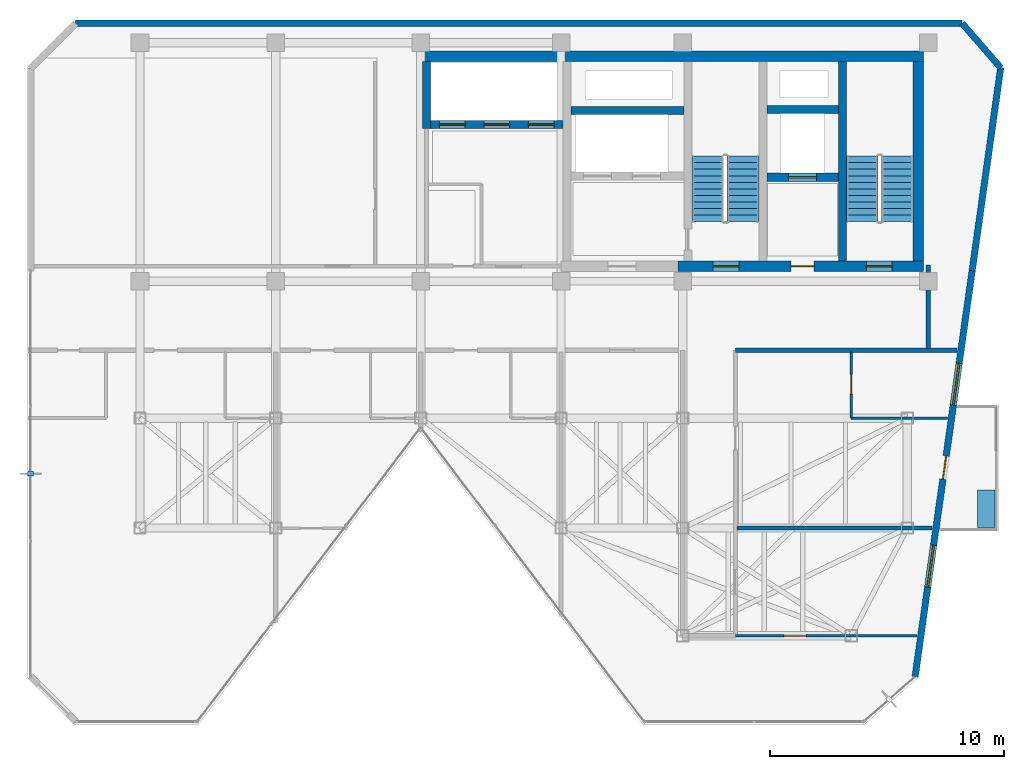
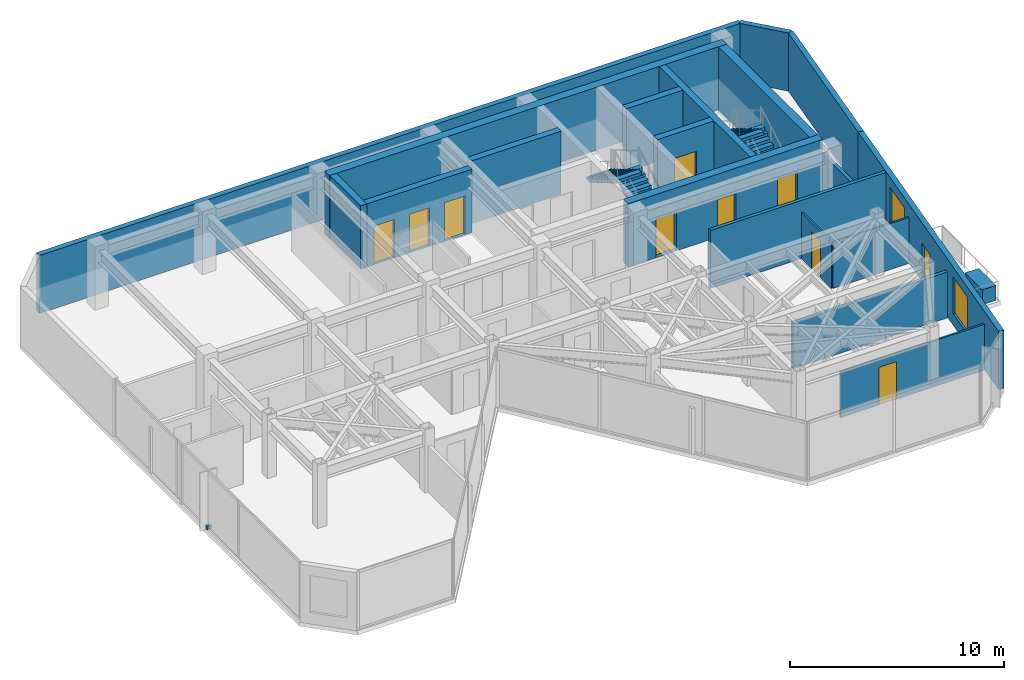
# One storey, part 16 of 19: 19 walls, 10 doors, 4 stair flights, 2 discrete accessories, 2 windows, 12 openings, 2 elements without a shape of their own.
"""IFC4 building model written with IfcOpenShell, lengths in metres."""

import ifcopenshell
import ifcopenshell.guid

model = None  # the IFC model being written
_history = None  # IfcOwnerHistory: only IFC2X3 demands one
_inside = {}  # id of a spatial element -> (the spatial element, [elements in it])
_under = {}  # id of a project, library or spatial element -> (it, [spatial elements below it])
_declared = {}  # id of a project -> (the project, [libraries it declares])
_typed = {}  # id of a type object -> (the type object, [elements of that type])
_made_of = {}  # id of a material, layer set ... -> (it, [elements and type objects made of it])


def new_model(schema):
    """Start an empty IFC model of exactly this schema.

    Asked for "IFC4X3", IfcOpenShell would pick the latest addendum, in which some entities
    have other attributes; the version numbers below select the first issue.
    IFC2X3 requires an IfcOwnerHistory on every rooted entity: one is made here for all.
    """
    global model, _history
    if schema == "IFC4X3":
        model = ifcopenshell.file(schema_version=(4, 3, 0, 0))
    else:
        model = ifcopenshell.file(schema=schema)
    _inside.clear()
    _under.clear()
    _declared.clear()
    _typed.clear()
    _made_of.clear()
    _history = None
    if model.schema == "IFC2X3":
        org = make("IfcOrganization", Name="unknown")
        user = make(
            "IfcPersonAndOrganization",
            ThePerson=make("IfcPerson", FamilyName="unknown"),
            TheOrganization=org,
        )
        app = make(
            "IfcApplication",
            ApplicationDeveloper=org,
            Version="unknown",
            ApplicationFullName="unknown",
            ApplicationIdentifier="unknown",
        )
        _history = make(
            "IfcOwnerHistory",
            OwningUser=user,
            OwningApplication=app,
            ChangeAction="ADDED",
            CreationDate=0,
        )
    return model


def make(cls, **values):
    """One entity of the class cls with the attributes given. An attribute that is None is left unset."""
    return model.create_entity(
        cls, **{name: value for name, value in values.items() if value is not None}
    )


def rooted(cls, **values):
    """An entity with a GlobalId (a new one), such as an element, a storey or a relation."""
    return make(cls, GlobalId=ifcopenshell.guid.new(), OwnerHistory=_history, **values)


def si_unit(unit_type, name, prefix=None):
    """IfcSIUnit, for example si_unit("LENGTHUNIT", "METRE", prefix="MILLI")."""
    return make("IfcSIUnit", UnitType=unit_type, Prefix=prefix, Name=name)


def assignment(units):
    """IfcUnitAssignment: the units of a project."""
    return None if units is None else make("IfcUnitAssignment", Units=units)


def point(xyz):
    """IfcCartesianPoint."""
    return None if xyz is None else make("IfcCartesianPoint", Coordinates=xyz)


def direction(xyz):
    """IfcDirection."""
    return None if xyz is None else make("IfcDirection", DirectionRatios=xyz)


def frame(location, z_axis=None, x_axis=None):
    """IfcAxis2Placement3D, a coordinate frame: its origin and axes. An axis left out is left unset."""
    return make(
        "IfcAxis2Placement3D",
        Location=point(location),
        Axis=direction(z_axis),
        RefDirection=direction(x_axis),
    )


def frame_2d(location, x_axis=None):
    """IfcAxis2Placement2D, a coordinate frame in the plane: its origin and x axis."""
    return make(
        "IfcAxis2Placement2D", Location=point(location), RefDirection=direction(x_axis)
    )


def origin():
    """The frame at (0, 0, 0) with its axes left unset."""
    return frame((0.0, 0.0, 0.0))


def origin_2d():
    """The frame at (0, 0) in the plane with its x axis left unset."""
    return frame_2d((0.0, 0.0))


def place(relative_to, where):
    """IfcLocalPlacement: puts the frame where relative to a parent placement (None: the world)."""
    return make(
        "IfcLocalPlacement", PlacementRelTo=relative_to, RelativePlacement=where
    )


def context(
    kind, dimensions, precision=None, world=None, true_north=None, identifier=None
):
    """IfcGeometricRepresentationContext, for example the 3D "Model" context."""
    return make(
        "IfcGeometricRepresentationContext",
        ContextIdentifier=identifier,
        ContextType=kind,
        CoordinateSpaceDimension=dimensions,
        Precision=precision,
        WorldCoordinateSystem=world,
        TrueNorth=true_north,
    )


def subcontext(parent, identifier, kind, view, scale=None):
    """IfcGeometricRepresentationSubContext, for example "Body" below "Model"."""
    return make(
        "IfcGeometricRepresentationSubContext",
        ContextIdentifier=identifier,
        ContextType=kind,
        ParentContext=parent,
        TargetScale=scale,
        TargetView=view,
    )


def project(units=None, contexts=None):
    """IfcProject with its units and contexts."""
    return rooted(
        "IfcProject",
        Name="project",
        RepresentationContexts=contexts,
        UnitsInContext=assignment(units),
    )


def spatial(cls, under=None, at=None, **own):
    """A site, building, storey or space (cls), placed at a placement, below another one or the project."""
    s = rooted(cls, ObjectPlacement=at, **own)
    if under is not None:
        _under.setdefault(under.id(), (under, []))[1].append(s)
    return s


def polyline(points):
    """IfcPolyline through the points."""
    return make("IfcPolyline", Points=[point(p) for p in points])


def profile(cls, at=None, kind="AREA", **sizes):
    """A parametric profile (cls). Its sizes go by their IFC names, for example OverallWidth=200.0."""
    return make(cls, ProfileType=kind, Position=at, **sizes)


def rectangle(**sizes):
    """IfcRectangleProfileDef."""
    return profile("IfcRectangleProfileDef", **sizes)


def outline(outer, holes=None, kind="AREA"):
    """IfcArbitraryClosedProfileDef: a profile drawn as a closed curve; with holes, ...WithVoids."""
    if holes is None:
        return make("IfcArbitraryClosedProfileDef", ProfileType=kind, OuterCurve=outer)
    return make(
        "IfcArbitraryProfileDefWithVoids",
        ProfileType=kind,
        OuterCurve=outer,
        InnerCurves=holes,
    )


def extrude(swept, where, along, depth):
    """IfcExtrudedAreaSolid: the profile swept, set in the frame where, extruded along a direction by depth."""
    return make(
        "IfcExtrudedAreaSolid",
        SweptArea=swept,
        Position=where,
        ExtrudedDirection=direction(along),
        Depth=depth,
    )


def shape(context_of_items, identifier, shape_type, items):
    """IfcShapeRepresentation: the items that make up one representation, for example the "Body"."""
    return make(
        "IfcShapeRepresentation",
        ContextOfItems=context_of_items,
        RepresentationIdentifier=identifier,
        RepresentationType=shape_type,
        Items=items,
    )


def material(Name=None, Category=None):
    """IfcMaterial."""
    return make("IfcMaterial", Name=Name, Category=Category)


def layer(
    of_material, thickness, ventilated=None, Name=None, Category=None, Priority=None
):
    """IfcMaterialLayer: one layer of a wall or slab, of a material (None: an air gap)."""
    return make(
        "IfcMaterialLayer",
        Material=of_material,
        LayerThickness=thickness,
        IsVentilated=ventilated,
        Name=Name,
        Category=Category,
        Priority=Priority,
    )


def layer_set(layers, Name=None):
    """IfcMaterialLayerSet."""
    return make("IfcMaterialLayerSet", MaterialLayers=layers, LayerSetName=Name)


def made_of(thing, what):
    """Note that an element or type object is made of a material, layer set ...; save() writes the relation."""
    if what is not None:
        _made_of.setdefault(what.id(), (what, []))[1].append(thing)
    return thing


def type_object(cls, material=None, **own):
    """A type object (cls), such as IfcWallType, which elements share."""
    return made_of(rooted(cls, **own), material)


def element(
    cls,
    number,
    at=None,
    inside=None,
    cuts=None,
    type_object=None,
    material=None,
    context=None,
    identifier="Body",
    shape_type=None,
    held_by="IfcProductDefinitionShape",
    body=None,
    shapes=None,
    **own,
):
    """One element of the class cls, such as IfcWall. Its Tag is "e" and its number.

    at: its placement. inside: the storey or other place that contains it. cuts: it is an
    opening in that element (IfcRelVoidsElement). A single representation is given by context,
    identifier, shape_type and body (its items); several are given by shapes. held_by: the class
    of the entity that holds the representations. save() writes the other relations.
    """
    e = rooted(cls, Tag="e%d" % number, ObjectPlacement=at, **own)
    if body is not None:
        shapes = [shape(context, identifier, shape_type, body)]
    if shapes is not None:
        e.Representation = make(held_by, Representations=shapes)
    if inside is not None:
        _inside.setdefault(inside.id(), (inside, []))[1].append(e)
    if cuts is not None:
        rooted(
            "IfcRelVoidsElement", RelatingBuildingElement=cuts, RelatedOpeningElement=e
        )
    if type_object is not None:
        _typed.setdefault(type_object.id(), (type_object, []))[1].append(e)
    return made_of(e, material)


def fill(opening, filler):
    """IfcRelFillsElement: the door or window that sits in an opening."""
    return rooted(
        "IfcRelFillsElement",
        RelatingOpeningElement=opening,
        RelatedBuildingElement=filler,
    )


def aggregate(whole, parts):
    """IfcRelAggregates: a whole, such as a stair, and the parts it consists of."""
    return rooted("IfcRelAggregates", RelatingObject=whole, RelatedObjects=parts)


def save(model, path):
    """Write the relations noted so far, then the file.

    IfcRelAggregates (storeys below a building ...), IfcRelContainedInSpatialStructure (elements
    in a storey), IfcRelDefinesByType, IfcRelAssociatesMaterial and IfcRelDeclares: one each for
    every whole, place, type object, material and project.
    """
    for whole, parts in _under.values():
        aggregate(whole, parts)
    for where, things in _inside.values():
        rooted(
            "IfcRelContainedInSpatialStructure",
            RelatedElements=things,
            RelatingStructure=where,
        )
    for kind, things in _typed.values():
        rooted("IfcRelDefinesByType", RelatedObjects=things, RelatingType=kind)
    for what, things in _made_of.values():
        rooted("IfcRelAssociatesMaterial", RelatedObjects=things, RelatingMaterial=what)
    for by, libraries in _declared.values():
        rooted("IfcRelDeclares", RelatingContext=by, RelatedDefinitions=libraries)
    model.write(path)


model = new_model("IFC4")

# Units and contexts
model_context = context("Model", 3, precision=1e-05, world=origin(), true_north=direction((0.0, 1.0)))
body_context = subcontext(model_context, "Body", "Model", "MODEL_VIEW")
ifc_project = project(units=[si_unit("LENGTHUNIT", "METRE"), si_unit("AREAUNIT", "SQUARE_METRE"), si_unit("VOLUMEUNIT", "CUBIC_METRE"), si_unit("PLANEANGLEUNIT", "RADIAN"), si_unit("MASSUNIT", "GRAM", prefix="KILO")], contexts=[model_context])

# Site, building, storey
site_placement = place(None, origin())
site = spatial("IfcSite", under=ifc_project, at=site_placement, CompositionType="ELEMENT")
building_placement = place(site_placement, origin())
building = spatial("IfcBuilding", under=site, at=building_placement, Name="Kravanh Interchange Tower", CompositionType="ELEMENT")
storey_placement = place(building_placement, frame((0.0, 0.0, 274.199951171875)))
storey = spatial("IfcBuildingStorey", under=building, at=storey_placement, Name="L67", CompositionType="ELEMENT", Elevation=274.199951171875)

# Wall
ifc_material_1 = material(Name="Concrete C60/75", Category="concrete")
ifc_layer_1 = layer(ifc_material_1, 0.35009765625)
ifc_layer_set_1 = layer_set([ifc_layer_1], Name="Core Shear Wall Concrete C60/75 350mm")
wall_type_1 = type_object("IfcWallType", Name="Core Shear Wall Concrete C60/75 350mm", PredefinedType="SHEAR", material=ifc_layer_set_1)
wall_1_placement = place(storey_placement, frame((62.824951171875, 38.22509765625, 0.0), z_axis=(0.0, 0.0, 1.0), x_axis=(0.0, 1.0, 0.0)))
element("IfcWall", 1, at=wall_1_placement, inside=storey, type_object=wall_type_1, Name="L67 Stair ST1 West Shear Wall", PredefinedType="SHEAR", context=body_context, shape_type="SweptSolid", body=[
    extrude(rectangle(XDim=8.52490234375, YDim=0.35009765625, at=frame_2d((4.262451171875, 0.0))), origin(), (0.0, 0.0, 1.0), 3.60009765625),
])

# Wall, opening, door
wall_2_placement = place(storey_placement, frame((59.60009765625, 41.800048828125, 0.0), z_axis=(0.0, 0.0, 1.0), x_axis=(1.0, 0.0, 0.0)))
wall_2 = element("IfcWall", 2, at=wall_2_placement, inside=storey, type_object=wall_type_1, Name="L67 Service Lift Shaft South Wall", PredefinedType="SHEAR", context=body_context, shape_type="SweptSolid", body=[
    extrude(rectangle(XDim=3.0498046875, YDim=0.35009765625, at=frame_2d((1.52490234375, 0.0))), origin(), (0.0, 0.0, 1.0), 3.60009765625),
])
opening_1_placement = place(wall_2_placement, frame((0.919921875, 0.0, 0.0)))
opening_1 = element("IfcOpeningElement", 3, at=opening_1_placement, cuts=wall_2, Name="Opening LD02", PredefinedType="OPENING", context=body_context, shape_type="SweptSolid", body=[
    extrude(rectangle(XDim=1.199951171875, YDim=2.199951171875, at=frame_2d((0.60009765625, 1.10009765625))), frame((0.0, 0.18505859375, 0.0), z_axis=(0.0, -1.0, 0.0), x_axis=(1.0, 0.0, 0.0)), (0.0, 0.0, 1.0), 0.3701171875),
])
ifc_material_2 = material(Name="Stainless Steel 316", Category="steel")
door_type_1 = type_object("IfcDoorType", Name="Fire and Service Lift Sliding Landing Door 1200x2200", OperationType="DOUBLE_DOOR_SLIDING", PredefinedType="DOOR", material=ifc_material_2)
door_1_placement = place(opening_1_placement, origin())
door_1 = element("IfcDoor", 4, at=door_1_placement, inside=storey, type_object=door_type_1, Name="L67 Lift LS-01 Landing Door", OperationType="DOUBLE_DOOR_SLIDING", OverallHeight=2.199951171875, OverallWidth=1.199951171875, PredefinedType="DOOR", context=body_context, shape_type="SweptSolid", body=[
    extrude(rectangle(XDim=1.199951171875, YDim=2.199951171875, at=frame_2d((0.60009765625, 1.10009765625))), frame((0.0, 0.02490234375, 0.0), z_axis=(0.0, -1.0, 0.0), x_axis=(1.0, 0.0, 0.0)), (0.0, 0.0, 1.0), 0.050048828125),
])
fill(opening_1, door_1)

# Walls
wall_3_placement = place(storey_placement, frame((59.60009765625, 44.699951171875, 0.0), z_axis=(0.0, 0.0, 1.0), x_axis=(1.0, 0.0, 0.0)))
element("IfcWall", 5, at=wall_3_placement, inside=storey, type_object=wall_type_1, Name="L67 Service Lift Shaft North Wall", PredefinedType="SHEAR", context=body_context, shape_type="SweptSolid", body=[
    extrude(rectangle(XDim=3.0498046875, YDim=0.35009765625, at=frame_2d((1.52490234375, 0.0))), origin(), (0.0, 0.0, 1.0), 3.60009765625),
])
wall_4_placement = place(storey_placement, frame((51.22509765625, 44.64990234375, 0.0), z_axis=(0.0, 0.0, 1.0), x_axis=(1.0, 0.0, 0.0)))
element("IfcWall", 6, at=wall_4_placement, inside=storey, type_object=wall_type_1, Name="L67 Fire Lift Shaft North Wall", PredefinedType="SHEAR", context=body_context, shape_type="SweptSolid", body=[
    extrude(rectangle(XDim=4.824951171875, YDim=0.35009765625, at=frame_2d((2.41259765625, 0.0))), origin(), (0.0, 0.0, 1.0), 3.60009765625),
])

# Wall, openings, doors
wall_5_placement = place(storey_placement, frame((45.22509765625, 44.050048828125, 0.0), z_axis=(0.0, 0.0, 1.0), x_axis=(1.0, 0.0, 0.0)))
wall_5 = element("IfcWall", 7, at=wall_5_placement, inside=storey, type_object=wall_type_1, Name="L67 High-Rise Lift Shaft South Wall", PredefinedType="SHEAR", context=body_context, shape_type="SweptSolid", body=[
    extrude(rectangle(XDim=5.64990234375, YDim=0.35009765625, at=frame_2d((2.824951171875, 0.0))), origin(), (0.0, 0.0, 1.0), 3.60009765625),
])
opening_2_placement = place(wall_5_placement, frame((0.375, 0.0, 0.0)))
opening_2 = element("IfcOpeningElement", 8, at=opening_2_placement, cuts=wall_5, Name="Opening LD01", PredefinedType="OPENING", context=body_context, shape_type="SweptSolid", body=[
    extrude(rectangle(XDim=1.10009765625, YDim=2.199951171875, at=frame_2d((0.550048828125, 1.10009765625))), frame((0.0, 0.18505859375, 0.0), z_axis=(0.0, -1.0, 0.0), x_axis=(1.0, 0.0, 0.0)), (0.0, 0.0, 1.0), 0.3701171875),
])
opening_3_placement = place(wall_5_placement, frame((2.27490234375, 0.0, 0.0)))
opening_3 = element("IfcOpeningElement", 9, at=opening_3_placement, cuts=wall_5, Name="Opening LD01", PredefinedType="OPENING", context=body_context, shape_type="SweptSolid", body=[
    extrude(rectangle(XDim=1.10009765625, YDim=2.199951171875, at=frame_2d((0.550048828125, 1.10009765625))), frame((0.0, 0.18505859375, 0.0), z_axis=(0.0, -1.0, 0.0), x_axis=(1.0, 0.0, 0.0)), (0.0, 0.0, 1.0), 0.3701171875),
])
opening_4_placement = place(wall_5_placement, frame((4.175048828125, 0.0, 0.0)))
opening_4 = element("IfcOpeningElement", 10, at=opening_4_placement, cuts=wall_5, Name="Opening LD01", PredefinedType="OPENING", context=body_context, shape_type="SweptSolid", body=[
    extrude(rectangle(XDim=1.10009765625, YDim=2.199951171875, at=frame_2d((0.550048828125, 1.10009765625))), frame((0.0, 0.18505859375, 0.0), z_axis=(0.0, -1.0, 0.0), x_axis=(1.0, 0.0, 0.0)), (0.0, 0.0, 1.0), 0.3701171875),
])
ifc_material_3 = material(Name="Stainless Steel 304", Category="steel")
door_type_2 = type_object("IfcDoorType", Name="Passenger Lift Sliding Landing Door 1100x2200", OperationType="DOUBLE_DOOR_SLIDING", PredefinedType="DOOR", material=ifc_material_3)
door_2_placement = place(opening_2_placement, origin())
door_2 = element("IfcDoor", 11, at=door_2_placement, inside=storey, type_object=door_type_2, Name="L67 Lift LP-H1 Landing Door", OperationType="DOUBLE_DOOR_SLIDING", OverallHeight=2.199951171875, OverallWidth=1.10009765625, PredefinedType="DOOR", context=body_context, shape_type="SweptSolid", body=[
    extrude(rectangle(XDim=1.10009765625, YDim=2.199951171875, at=frame_2d((0.550048828125, 1.10009765625))), frame((0.0, 0.02490234375, 0.0), z_axis=(0.0, -1.0, 0.0), x_axis=(1.0, 0.0, 0.0)), (0.0, 0.0, 1.0), 0.050048828125),
])
fill(opening_2, door_2)
door_3_placement = place(opening_3_placement, origin())
door_3 = element("IfcDoor", 12, at=door_3_placement, inside=storey, type_object=door_type_2, Name="L67 Lift LP-H2 Landing Door", OperationType="DOUBLE_DOOR_SLIDING", OverallHeight=2.199951171875, OverallWidth=1.10009765625, PredefinedType="DOOR", context=body_context, shape_type="SweptSolid", body=[
    extrude(rectangle(XDim=1.10009765625, YDim=2.199951171875, at=frame_2d((0.550048828125, 1.10009765625))), frame((0.0, 0.02490234375, 0.0), z_axis=(0.0, -1.0, 0.0), x_axis=(1.0, 0.0, 0.0)), (0.0, 0.0, 1.0), 0.050048828125),
])
fill(opening_3, door_3)
door_4_placement = place(opening_4_placement, origin())
door_4 = element("IfcDoor", 13, at=door_4_placement, inside=storey, type_object=door_type_2, Name="L67 Lift LP-H3 Landing Door", OperationType="DOUBLE_DOOR_SLIDING", OverallHeight=2.199951171875, OverallWidth=1.10009765625, PredefinedType="DOOR", context=body_context, shape_type="SweptSolid", body=[
    extrude(rectangle(XDim=1.10009765625, YDim=2.199951171875, at=frame_2d((0.550048828125, 1.10009765625))), frame((0.0, 0.02490234375, 0.0), z_axis=(0.0, -1.0, 0.0), x_axis=(1.0, 0.0, 0.0)), (0.0, 0.0, 1.0), 0.050048828125),
])
fill(opening_4, door_4)

# Walls
wall_6_placement = place(storey_placement, frame((45.050048828125, 43.875, 0.0), z_axis=(0.0, 0.0, 1.0), x_axis=(0.0, 1.0, 0.0)))
element("IfcWall", 14, at=wall_6_placement, inside=storey, type_object=wall_type_1, Name="L67 High-Rise Lift Shaft West Wall", PredefinedType="SHEAR", context=body_context, shape_type="SweptSolid", body=[
    extrude(rectangle(XDim=2.875, YDim=0.35009765625, at=frame_2d((1.4375, 0.0))), origin(), (0.0, 0.0, 1.0), 3.60009765625),
])
ifc_material_4 = material(Name="Concrete C60/75", Category="concrete")
ifc_layer_2 = layer(ifc_material_4, 0.449951171875)
ifc_layer_set_2 = layer_set([ifc_layer_2], Name="Core Shear Wall Concrete C60/75 450mm")
wall_type_2 = type_object("IfcWallType", Name="Core Shear Wall Concrete C60/75 450mm", PredefinedType="SHEAR", material=ifc_layer_set_2)
wall_7_placement = place(storey_placement, frame((44.85009765625, 46.97509765625, 0.0), z_axis=(0.0, 0.0, 1.0), x_axis=(1.0, 0.0, 0.0)))
element("IfcWall", 15, at=wall_7_placement, inside=storey, type_object=wall_type_2, Name="L67 North Core Shear Wall", PredefinedType="SHEAR", context=body_context, shape_type="SweptSolid", body=[
    extrude(rectangle(XDim=21.449951171875, YDim=0.449951171875, at=frame_2d((10.72509765625, 0.0))), origin(), (0.0, 0.0, 1.0), 3.60009765625),
])

# Wall, openings, doors
wall_8_placement = place(storey_placement, frame((55.800048828125, 38.0, 0.0), z_axis=(0.0, 0.0, 1.0), x_axis=(1.0, 0.0, 0.0)))
wall_8 = element("IfcWall", 16, at=wall_8_placement, inside=storey, type_object=wall_type_2, Name="L67 East Core South Shear Wall", PredefinedType="SHEAR", context=body_context, shape_type="SweptSolid", body=[
    extrude(rectangle(XDim=10.5, YDim=0.449951171875, at=frame_2d((5.25, 0.0))), origin(), (0.0, 0.0, 1.0), 3.60009765625),
])
opening_5_placement = place(wall_8_placement, frame((1.5, 0.0, 0.0)))
opening_5 = element("IfcOpeningElement", 17, at=opening_5_placement, cuts=wall_8, Name="Opening D-STAIR-110", PredefinedType="OPENING", context=body_context, shape_type="SweptSolid", body=[
    extrude(rectangle(XDim=1.10009765625, YDim=2.199951171875, at=frame_2d((0.550048828125, 1.10009765625))), frame((0.0, 0.23486328125, 0.0), z_axis=(0.0, -1.0, 0.0), x_axis=(1.0, 0.0, 0.0)), (0.0, 0.0, 1.0), 0.469970703125),
])
opening_6_placement = place(wall_8_placement, frame((4.820068359375, 0.0, 0.0)))
opening_6 = element("IfcOpeningElement", 18, at=opening_6_placement, cuts=wall_8, Name="Opening D-HOTEL-100", PredefinedType="OPENING", context=body_context, shape_type="SweptSolid", body=[
    extrude(rectangle(XDim=1.0, YDim=2.14990234375, at=frame_2d((0.5, 1.074951171875))), frame((0.0, 0.23486328125, 0.0), z_axis=(0.0, -1.0, 0.0), x_axis=(1.0, 0.0, 0.0)), (0.0, 0.0, 1.0), 0.469970703125),
])
opening_7_placement = place(wall_8_placement, frame((8.050048828125, 0.0, 0.0)))
opening_7 = element("IfcOpeningElement", 19, at=opening_7_placement, cuts=wall_8, Name="Opening D-STAIR-110", PredefinedType="OPENING", context=body_context, shape_type="SweptSolid", body=[
    extrude(rectangle(XDim=1.10009765625, YDim=2.199951171875, at=frame_2d((0.550048828125, 1.10009765625))), frame((0.0, 0.23486328125, 0.0), z_axis=(0.0, -1.0, 0.0), x_axis=(1.0, 0.0, 0.0)), (0.0, 0.0, 1.0), 0.469970703125),
])
ifc_material_5 = material(Name="Structural Steel S355", Category="steel")
door_type_3 = type_object("IfcDoorType", Name="Fire-Rated Exit Stair Door 1100x2200", OperationType="NOTDEFINED", PredefinedType="DOOR", material=ifc_material_5)
door_5_placement = place(opening_5_placement, origin())
door_5 = element("IfcDoor", 20, at=door_5_placement, inside=storey, type_object=door_type_3, Name="L67 Exit Stair ST2 Door", OperationType="SINGLE_SWING_RIGHT", OverallHeight=2.199951171875, OverallWidth=1.10009765625, PredefinedType="DOOR", context=body_context, shape_type="SweptSolid", body=[
    extrude(rectangle(XDim=1.10009765625, YDim=2.199951171875, at=frame_2d((0.550048828125, 1.10009765625))), frame((0.0, 0.02490234375, 0.0), z_axis=(0.0, -1.0, 0.0), x_axis=(1.0, 0.0, 0.0)), (0.0, 0.0, 1.0), 0.050048828125),
])
fill(opening_5, door_5)
door_6_placement = place(opening_7_placement, origin())
door_6 = element("IfcDoor", 21, at=door_6_placement, inside=storey, type_object=door_type_3, Name="L67 Exit Stair ST1 Door", OperationType="SINGLE_SWING_RIGHT", OverallHeight=2.199951171875, OverallWidth=1.10009765625, PredefinedType="DOOR", context=body_context, shape_type="SweptSolid", body=[
    extrude(rectangle(XDim=1.10009765625, YDim=2.199951171875, at=frame_2d((0.550048828125, 1.10009765625))), frame((0.0, 0.02490234375, 0.0), z_axis=(0.0, -1.0, 0.0), x_axis=(1.0, 0.0, 0.0)), (0.0, 0.0, 1.0), 0.050048828125),
])
fill(opening_7, door_6)
ifc_material_6 = material(Name="Fire-Rated Solid Timber Leaf", Category="wood")
door_type_4 = type_object("IfcDoorType", Name="Fire-Rated Suite Entrance Door 1000x2150", OperationType="NOTDEFINED", PredefinedType="DOOR", material=ifc_material_6)
door_7_placement = place(opening_6_placement, origin())
door_7 = element("IfcDoor", 22, at=door_7_placement, inside=storey, type_object=door_type_4, Name="L67 Service Lift Lobby Door", OperationType="SINGLE_SWING_RIGHT", OverallHeight=2.14990234375, OverallWidth=1.0, PredefinedType="DOOR", context=body_context, shape_type="SweptSolid", body=[
    extrude(rectangle(XDim=1.0, YDim=2.14990234375, at=frame_2d((0.5, 1.074951171875))), frame((0.0, 0.02490234375, 0.0), z_axis=(0.0, -1.0, 0.0), x_axis=(1.0, 0.0, 0.0)), (0.0, 0.0, 1.0), 0.050048828125),
])
fill(opening_6, door_7)

# Wall
wall_9_placement = place(storey_placement, frame((66.074951171875, 38.22509765625, 0.0), z_axis=(0.0, 0.0, 1.0), x_axis=(0.0, 1.0, 0.0)))
element("IfcWall", 23, at=wall_9_placement, inside=storey, type_object=wall_type_2, Name="L67 Stair ST1 East Shear Wall", PredefinedType="SHEAR", context=body_context, shape_type="SweptSolid", body=[
    extrude(rectangle(XDim=8.52490234375, YDim=0.449951171875, at=frame_2d((4.262451171875, 0.0))), origin(), (0.0, 0.0, 1.0), 3.60009765625),
])

# Wall, opening, door
ifc_material_7 = material(Name="Moisture-Resistant Gypsum Board and Mineral Wool")
ifc_layer_3 = layer(ifc_material_7, 0.10009765625)
ifc_layer_set_3 = layer_set([ifc_layer_3], Name="En-Suite Moisture-Resistant Partition 100mm")
wall_type_3 = type_object("IfcWallType", Name="En-Suite Moisture-Resistant Partition 100mm", PredefinedType="PARTITIONING", material=ifc_layer_set_3)
wall_10_placement = place(storey_placement, frame((58.25, 22.199951171875, 0.0), z_axis=(0.0, 0.0, 1.0), x_axis=(1.0, 0.0, 0.0)))
wall_10 = element("IfcWall", 24, at=wall_10_placement, inside=storey, type_object=wall_type_3, Name="L67 Interior Partition 17", PredefinedType="PARTITIONING", context=body_context, shape_type="SweptSolid", body=[
    extrude(rectangle(XDim=7.76611328125, YDim=0.10009765625, at=frame_2d((3.883056640625, 0.0))), origin(), (0.0, 0.0, 1.0), 2.6240234375),
])
opening_8_placement = place(wall_10_placement, frame((2.074951171875, 0.0, 0.0)))
opening_8 = element("IfcOpeningElement", 25, at=opening_8_placement, cuts=wall_10, Name="Opening D-95", PredefinedType="OPENING", context=body_context, shape_type="SweptSolid", body=[
    extrude(rectangle(XDim=0.949951171875, YDim=2.14990234375, at=frame_2d((0.47509765625, 1.074951171875))), frame((0.0, 0.06005859375, 0.0), z_axis=(0.0, -1.0, 0.0), x_axis=(1.0, 0.0, 0.0)), (0.0, 0.0, 1.0), 0.1201171875),
])
ifc_material_8 = material(Name="Laminate Solid-Core Timber", Category="wood")
door_type_5 = type_object("IfcDoorType", Name="Accessible Restroom Door 950x2150", OperationType="NOTDEFINED", PredefinedType="DOOR", material=ifc_material_8)
door_8_placement = place(opening_8_placement, origin())
door_8 = element("IfcDoor", 26, at=door_8_placement, inside=storey, type_object=door_type_5, Name="L67 SE Sunroom Inner Door", OperationType="SINGLE_SWING_RIGHT", OverallHeight=2.14990234375, OverallWidth=0.949951171875, PredefinedType="DOOR", context=body_context, shape_type="SweptSolid", body=[
    extrude(rectangle(XDim=0.949951171875, YDim=2.14990234375, at=frame_2d((0.47509765625, 1.074951171875))), frame((0.0, 0.02490234375, 0.0), z_axis=(0.0, -1.0, 0.0), x_axis=(1.0, 0.0, 0.0)), (0.0, 0.0, 1.0), 0.050048828125),
])
fill(opening_8, door_8)

# Wall
wall_11_placement = place(storey_placement, frame((63.199951171875, 31.5, 0.0), z_axis=(0.0, 0.0, 1.0), x_axis=(1.0, 0.0, 0.0)))
element("IfcWall", 27, at=wall_11_placement, inside=storey, type_object=wall_type_3, Name="L67 Interior Partition 18", PredefinedType="PARTITIONING", context=body_context, shape_type="SweptSolid", body=[
    extrude(rectangle(XDim=4.123046875, YDim=0.10009765625, at=frame_2d((2.0615234375, 0.0))), origin(), (0.0, 0.0, 1.0), 2.6240234375),
])

# Wall, opening, door
wall_12_placement = place(storey_placement, frame((63.199951171875, 31.5, 0.0), z_axis=(0.0, 0.0, 1.0), x_axis=(0.0, 1.0, 0.0)))
wall_12 = element("IfcWall", 28, at=wall_12_placement, inside=storey, type_object=wall_type_3, Name="L67 Interior Partition 19", PredefinedType="PARTITIONING", context=body_context, shape_type="SweptSolid", body=[
    extrude(rectangle(XDim=2.83203125, YDim=0.10009765625, at=frame_2d((1.416015625, 0.0))), origin(), (0.0, 0.0, 1.0), 2.6240234375),
])
opening_9_placement = place(wall_12_placement, frame((1.02490234375, 0.0, 0.0)))
opening_9 = element("IfcOpeningElement", 29, at=opening_9_placement, cuts=wall_12, Name="Opening D-85", PredefinedType="OPENING", context=body_context, shape_type="SweptSolid", body=[
    extrude(rectangle(XDim=0.85009765625, YDim=2.10009765625, at=frame_2d((0.425048828125, 1.050048828125))), frame((0.0, 0.06005859375, 0.0), z_axis=(0.0, -1.0, 0.0), x_axis=(1.0, 0.0, 0.0)), (0.0, 0.0, 1.0), 0.1201171875),
])
ifc_material_9 = material(Name="Engineered Teak Veneer Timber", Category="wood")
door_type_6 = type_object("IfcDoorType", Name="En-Suite Timber Door 850x2100", OperationType="NOTDEFINED", PredefinedType="DOOR", material=ifc_material_9)
door_9_placement = place(opening_9_placement, origin())
door_9 = element("IfcDoor", 30, at=door_9_placement, inside=storey, type_object=door_type_6, Name="L67 En-suite Bathroom Door", OperationType="SINGLE_SWING_RIGHT", OverallHeight=2.10009765625, OverallWidth=0.85009765625, PredefinedType="DOOR", context=body_context, shape_type="SweptSolid", body=[
    extrude(rectangle(XDim=0.85009765625, YDim=2.10009765625, at=frame_2d((0.425048828125, 1.050048828125))), frame((0.0, 0.02490234375, 0.0), z_axis=(0.0, -1.0, 0.0), x_axis=(1.0, 0.0, 0.0)), (0.0, 0.0, 1.0), 0.050048828125),
])
fill(opening_9, door_9)

# Walls
ifc_material_10 = material(Name="Insulated Precast Concrete C40/50 with Bronze Cladding", Category="concrete")
ifc_layer_4 = layer(ifc_material_10, 0.280029296875)
ifc_layer_set_4 = layer_set([ifc_layer_4], Name="Exterior Insulated Concrete C40/50 Bronze Spandrel Wall 280mm")
wall_type_4 = type_object("IfcWallType", Name="Exterior Insulated Concrete C40/50 Bronze Spandrel Wall 280mm", PredefinedType="STANDARD", material=ifc_layer_set_4)
wall_13_placement = place(storey_placement, frame((30.0498046875, 48.3798828125, 0.0), z_axis=(0.0, 0.0, 1.0), x_axis=(1.0, 0.0, 0.0)))
element("IfcWall", 31, at=wall_13_placement, inside=storey, type_object=wall_type_4, Name="L67 Exterior Wall 3", PredefinedType="STANDARD", context=body_context, shape_type="SweptSolid", body=[
    extrude(rectangle(XDim=37.8955078125, YDim=0.280029296875, at=frame_2d((18.94775390625, 0.0))), origin(), (0.0, 0.0, 1.0), 3.320068359375),
])
wall_14_placement = place(storey_placement, frame((67.9453125, 48.3798828125, 0.0), z_axis=(0.0, 0.0, 1.0), x_axis=(0.656068147197, -0.75470165379, 0.0)))
element("IfcWall", 32, at=wall_14_placement, inside=storey, type_object=wall_type_4, Name="L67 Exterior Wall 4", PredefinedType="STANDARD", context=body_context, shape_type="SweptSolid", body=[
    extrude(rectangle(XDim=2.514892578125, YDim=0.280029296875, at=frame_2d((1.25732421875, 0.0))), origin(), (0.0, 0.0, 1.0), 3.320068359375),
])
wall_15_placement = place(storey_placement, frame((69.59521484375, 46.48193359375, 0.0), z_axis=(0.0, 0.0, 1.0), x_axis=(-0.139179310088, -0.990267196086, 0.0)))
element("IfcWall", 33, at=wall_15_placement, inside=storey, type_object=wall_type_4, Name="L67 Exterior Wall 5", PredefinedType="STANDARD", context=body_context, shape_type="SweptSolid", body=[
    extrude(rectangle(XDim=8.767333984375, YDim=0.280029296875, at=frame_2d((4.3837890625, 0.0))), origin(), (0.0, 0.0, 1.0), 3.320068359375),
])

# Wall, openings, door, windows
wall_16_placement = place(storey_placement, frame((68.375, 37.800048828125, 0.0), z_axis=(0.0, 0.0, 1.0), x_axis=(-0.139166909111, -0.990268938929, 0.0)))
wall_16 = element("IfcWall", 34, at=wall_16_placement, inside=storey, type_object=wall_type_4, Name="L67 Exterior Wall 6", PredefinedType="STANDARD", context=body_context, shape_type="SweptSolid", body=[
    extrude(rectangle(XDim=17.529052734375, YDim=0.280029296875, at=frame_2d((8.7646484375, 0.0))), origin(), (0.0, 0.0, 1.0), 3.320068359375),
])
opening_10_placement = place(wall_16_placement, frame((7.99609375, 0.0, 0.0)))
opening_10 = element("IfcOpeningElement", 35, at=opening_10_placement, cuts=wall_16, Name="Opening ED-BAL100", PredefinedType="OPENING", context=body_context, shape_type="SweptSolid", body=[
    extrude(rectangle(XDim=1.0, YDim=2.14990234375, at=frame_2d((0.5, 1.074951171875))), frame((0.0, 0.14990234375, 0.0), z_axis=(0.0, -1.0, 0.0), x_axis=(1.0, 0.0, 0.0)), (0.0, 0.0, 1.0), 0.300048828125),
])
opening_11_placement = place(wall_16_placement, frame((3.996826171875, 0.0, 0.64990234375)))
opening_11 = element("IfcOpeningElement", 36, at=opening_11_placement, cuts=wall_16, Name="Opening WN-180X210", PredefinedType="OPENING", context=body_context, shape_type="SweptSolid", body=[
    extrude(rectangle(XDim=1.800048828125, YDim=2.10009765625, at=frame_2d((0.89990234375, 1.050048828125))), frame((0.0, 0.14990234375, 0.0), z_axis=(0.0, -1.0, 0.0), x_axis=(1.0, 0.0, 0.0)), (0.0, 0.0, 1.0), 0.300048828125),
])
opening_12_placement = place(wall_16_placement, frame((11.85302734375, 0.0, 0.64990234375)))
opening_12 = element("IfcOpeningElement", 37, at=opening_12_placement, cuts=wall_16, Name="Opening WN-180X210", PredefinedType="OPENING", context=body_context, shape_type="SweptSolid", body=[
    extrude(rectangle(XDim=1.800048828125, YDim=2.10009765625, at=frame_2d((0.89990234375, 1.050048828125))), frame((0.0, 0.14990234375, 0.0), z_axis=(0.0, -1.0, 0.0), x_axis=(1.0, 0.0, 0.0)), (0.0, 0.0, 1.0), 0.300048828125),
])
ifc_material_11 = material(Name="Thermally Broken Bronze Aluminium and Laminated Glass", Category="aluminium")
door_type_7 = type_object("IfcDoorType", Name="Balcony Glazed Door 1000x2150", OperationType="NOTDEFINED", PredefinedType="DOOR", material=ifc_material_11)
door_10_placement = place(opening_10_placement, origin())
door_10 = element("IfcDoor", 38, at=door_10_placement, inside=storey, type_object=door_type_7, Name="L67 E Tree Balcony Access Door", OperationType="SINGLE_SWING_RIGHT", OverallHeight=2.14990234375, OverallWidth=1.0, PredefinedType="DOOR", context=body_context, shape_type="SweptSolid", body=[
    extrude(rectangle(XDim=1.0, YDim=2.14990234375, at=frame_2d((0.5, 1.074951171875))), frame((0.0, 0.02490234375, 0.0), z_axis=(0.0, -1.0, 0.0), x_axis=(1.0, 0.0, 0.0)), (0.0, 0.0, 1.0), 0.050048828125),
])
fill(opening_10, door_10)
ifc_material_12 = material(Name="Thermally Broken Bronze Aluminium and Low-E Glass", Category="aluminium")
window_type = type_object("IfcWindowType", Name="Tower Pier Window 1800x2100", PartitioningType="SINGLE_PANEL", PredefinedType="WINDOW", material=ifc_material_12)
window_1_placement = place(opening_11_placement, origin())
window_1 = element("IfcWindow", 39, at=window_1_placement, inside=storey, type_object=window_type, Name="L67 Facade Window 6A", OverallHeight=2.10009765625, OverallWidth=1.800048828125, PartitioningType="SINGLE_PANEL", PredefinedType="WINDOW", context=body_context, shape_type="SweptSolid", body=[
    extrude(rectangle(XDim=1.800048828125, YDim=2.10009765625, at=frame_2d((0.89990234375, 1.050048828125))), frame((0.0, 0.030029296875, 0.0), z_axis=(0.0, -1.0, 0.0), x_axis=(1.0, 0.0, 0.0)), (0.0, 0.0, 1.0), 0.06005859375),
])
fill(opening_11, window_1)
window_2_placement = place(opening_12_placement, origin())
window_2 = element("IfcWindow", 40, at=window_2_placement, inside=storey, type_object=window_type, Name="L67 Facade Window 6B", OverallHeight=2.10009765625, OverallWidth=1.800048828125, PartitioningType="SINGLE_PANEL", PredefinedType="WINDOW", context=body_context, shape_type="SweptSolid", body=[
    extrude(rectangle(XDim=1.800048828125, YDim=2.10009765625, at=frame_2d((0.89990234375, 1.050048828125))), frame((0.0, 0.030029296875, 0.0), z_axis=(0.0, -1.0, 0.0), x_axis=(1.0, 0.0, 0.0)), (0.0, 0.0, 1.0), 0.06005859375),
])
fill(opening_12, window_2)

# Walls
ifc_material_13 = material(Name="Autoclaved Aerated Concrete C30/37 Blockwork", Category="masonry")
ifc_layer_5 = layer(ifc_material_13, 0.179931640625)
ifc_layer_set_5 = layer_set([ifc_layer_5], Name="Fire-Rated Lobby and Corridor Wall Concrete C30/37 180mm")
wall_type_5 = type_object("IfcWallType", Name="Fire-Rated Lobby and Corridor Wall Concrete C30/37 180mm", PredefinedType="STANDARD", material=ifc_layer_set_5)
wall_17_placement = place(storey_placement, frame((58.25, 34.39990234375, 0.0), z_axis=(0.0, 0.0, 1.0), x_axis=(1.0, 0.0, 0.0)))
element("IfcWall", 41, at=wall_17_placement, inside=storey, type_object=wall_type_5, Name="L67 Interior Partition 9", PredefinedType="STANDARD", context=body_context, shape_type="SweptSolid", body=[
    extrude(rectangle(XDim=9.480712890625, YDim=0.179931640625, at=frame_2d((4.740234375, 0.0))), origin(), (0.0, 0.0, 1.0), 3.320068359375),
])
wall_18_placement = place(storey_placement, frame((66.5, 34.468017578125, 0.0), z_axis=(0.0, 0.0, 1.0), x_axis=(0.0, 1.0, 0.0)))
element("IfcWall", 42, at=wall_18_placement, inside=storey, type_object=wall_type_5, Name="L67 Interior Partition 10", PredefinedType="STANDARD", context=body_context, shape_type="SweptSolid", body=[
    extrude(rectangle(XDim=3.58203125, YDim=0.179931640625, at=frame_2d((1.791015625, 0.0))), origin(), (0.0, 0.0, 1.0), 2.6240234375),
])
wall_19_placement = place(storey_placement, frame((58.318115234375, 26.800048828125, 0.0), z_axis=(0.0, 0.0, 1.0), x_axis=(1.0, 0.0, 0.0)))
element("IfcWall", 43, at=wall_19_placement, inside=storey, type_object=wall_type_5, Name="L67 Interior Partition 16", PredefinedType="STANDARD", context=body_context, shape_type="SweptSolid", body=[
    extrude(rectangle(XDim=8.344482421875, YDim=0.179931640625, at=frame_2d((4.17236328125, 0.0))), origin(), (0.0, 0.0, 1.0), 2.6240234375),
])

# Stair, stair flights
ifc_material_14 = material(Name="Concrete C50/60", Category="concrete")
stair_type = type_object("IfcStairType", Name="Core Fire Exit Dogleg Stair Concrete C50/60", PredefinedType="HALF_TURN_STAIR", material=ifc_material_14)
stair_1_placement = place(storey_placement, origin())
stair_1 = element("IfcStair", 44, at=stair_1_placement, inside=storey, type_object=stair_type, Name="L67 Exit Stair ST1", PredefinedType="HALF_TURN_STAIR")
ifc_material_15 = material(Name="Precast Concrete C50/60", Category="concrete")
ifc_layer_6 = layer(ifc_material_15, 0.199951171875)
ifc_layer_set_6 = layer_set([ifc_layer_6], Name="Precast Concrete C50/60 Stair Flight 1350mm")
stair_flight_type = type_object("IfcStairFlightType", Name="Precast Concrete C50/60 Stair Flight 1350mm", PredefinedType="STRAIGHT", material=ifc_layer_set_6)
stair_flight_1_placement = place(storey_placement, frame((65.175048828125, 39.89990234375, 0.0), z_axis=(0.0, 0.0, 1.0), x_axis=(0.0, 1.0, 0.0)))
stair_flight_1 = element("IfcStairFlight", 45, at=stair_flight_1_placement, type_object=stair_flight_type, Name="ST1 flight 1", NumberOfRisers=11, NumberOfTreads=10, PredefinedType="STRAIGHT", RiserHeight=0.163636364, TreadLength=0.28, context=body_context, shape_type="SweptSolid", body=[
    extrude(outline(polyline([(0.0, 0.0), (0.0, 0.16357421875), (0.280029296875, 0.16357421875), (0.280029296875, 0.327392578125), (0.56005859375, 0.327392578125), (0.56005859375, 0.490966796875), (0.840087890625, 0.490966796875), (0.840087890625, 0.654541015625), (1.1201171875, 0.654541015625), (1.1201171875, 0.818115234375), (1.39990234375, 0.818115234375), (1.39990234375, 0.98193359375), (1.679931640625, 0.98193359375), (1.679931640625, 1.1455078125), (1.9599609375, 1.1455078125), (1.9599609375, 1.30908203125), (2.239990234375, 1.30908203125), (2.239990234375, 1.47265625), (2.52001953125, 1.47265625), (2.52001953125, 1.636474609375), (2.800048828125, 1.636474609375), (2.800048828125, 1.800048828125), (2.800048828125, 1.462646484375), (0.297119140625, 0.0), (0.0, 0.0)])), frame((0.0, 0.675048828125, 0.0), z_axis=(0.0, -1.0, 0.0), x_axis=(1.0, 0.0, 0.0)), (0.0, 0.0, 1.0), 1.35009765625),
])
stair_flight_2_placement = place(storey_placement, frame((63.675048828125, 42.699951171875, 1.800048828125), z_axis=(0.0, 0.0, 1.0), x_axis=(0.0, -1.0, 0.0)))
stair_flight_2 = element("IfcStairFlight", 46, at=stair_flight_2_placement, type_object=stair_flight_type, Name="ST1 flight 2", NumberOfRisers=11, NumberOfTreads=10, PredefinedType="STRAIGHT", RiserHeight=0.163636364, TreadLength=0.28, context=body_context, shape_type="SweptSolid", body=[
    extrude(outline(polyline([(0.0, 0.0), (0.0, 0.16357421875), (0.280029296875, 0.16357421875), (0.280029296875, 0.327392578125), (0.56005859375, 0.327392578125), (0.56005859375, 0.490966796875), (0.840087890625, 0.490966796875), (0.840087890625, 0.654541015625), (1.1201171875, 0.654541015625), (1.1201171875, 0.818115234375), (1.39990234375, 0.818115234375), (1.39990234375, 0.98193359375), (1.679931640625, 0.98193359375), (1.679931640625, 1.1455078125), (1.9599609375, 1.1455078125), (1.9599609375, 1.30908203125), (2.239990234375, 1.30908203125), (2.239990234375, 1.47265625), (2.52001953125, 1.47265625), (2.52001953125, 1.636474609375), (2.800048828125, 1.636474609375), (2.800048828125, 1.800048828125), (2.800048828125, 1.462646484375), (0.297119140625, 0.0), (0.0, 0.0)])), frame((0.0, 0.675048828125, 0.0), z_axis=(0.0, -1.0, 0.0), x_axis=(1.0, 0.0, 0.0)), (0.0, 0.0, 1.0), 1.35009765625),
])
aggregate(stair_1, [stair_flight_1, stair_flight_2])

stair_2_placement = place(storey_placement, origin())
stair_2 = element("IfcStair", 47, at=stair_2_placement, inside=storey, type_object=stair_type, Name="L67 Exit Stair ST2", PredefinedType="HALF_TURN_STAIR")
stair_flight_3_placement = place(storey_placement, frame((58.574951171875, 39.89990234375, 0.0), z_axis=(0.0, 0.0, 1.0), x_axis=(0.0, 1.0, 0.0)))
stair_flight_3 = element("IfcStairFlight", 48, at=stair_flight_3_placement, type_object=stair_flight_type, Name="ST2 flight 1", NumberOfRisers=11, NumberOfTreads=10, PredefinedType="STRAIGHT", RiserHeight=0.163636364, TreadLength=0.28, context=body_context, shape_type="SweptSolid", body=[
    extrude(outline(polyline([(0.0, 0.0), (0.0, 0.16357421875), (0.280029296875, 0.16357421875), (0.280029296875, 0.327392578125), (0.56005859375, 0.327392578125), (0.56005859375, 0.490966796875), (0.840087890625, 0.490966796875), (0.840087890625, 0.654541015625), (1.1201171875, 0.654541015625), (1.1201171875, 0.818115234375), (1.39990234375, 0.818115234375), (1.39990234375, 0.98193359375), (1.679931640625, 0.98193359375), (1.679931640625, 1.1455078125), (1.9599609375, 1.1455078125), (1.9599609375, 1.30908203125), (2.239990234375, 1.30908203125), (2.239990234375, 1.47265625), (2.52001953125, 1.47265625), (2.52001953125, 1.636474609375), (2.800048828125, 1.636474609375), (2.800048828125, 1.800048828125), (2.800048828125, 1.462646484375), (0.297119140625, 0.0), (0.0, 0.0)])), frame((0.0, 0.675048828125, 0.0), z_axis=(0.0, -1.0, 0.0), x_axis=(1.0, 0.0, 0.0)), (0.0, 0.0, 1.0), 1.35009765625),
])
stair_flight_4_placement = place(storey_placement, frame((57.074951171875, 42.699951171875, 1.800048828125), z_axis=(0.0, 0.0, 1.0), x_axis=(0.0, -1.0, 0.0)))
stair_flight_4 = element("IfcStairFlight", 49, at=stair_flight_4_placement, type_object=stair_flight_type, Name="ST2 flight 2", NumberOfRisers=11, NumberOfTreads=10, PredefinedType="STRAIGHT", RiserHeight=0.163636364, TreadLength=0.28, context=body_context, shape_type="SweptSolid", body=[
    extrude(outline(polyline([(0.0, 0.0), (0.0, 0.16357421875), (0.280029296875, 0.16357421875), (0.280029296875, 0.327392578125), (0.56005859375, 0.327392578125), (0.56005859375, 0.490966796875), (0.840087890625, 0.490966796875), (0.840087890625, 0.654541015625), (1.1201171875, 0.654541015625), (1.1201171875, 0.818115234375), (1.39990234375, 0.818115234375), (1.39990234375, 0.98193359375), (1.679931640625, 0.98193359375), (1.679931640625, 1.1455078125), (1.9599609375, 1.1455078125), (1.9599609375, 1.30908203125), (2.239990234375, 1.30908203125), (2.239990234375, 1.47265625), (2.52001953125, 1.47265625), (2.52001953125, 1.636474609375), (2.800048828125, 1.636474609375), (2.800048828125, 1.800048828125), (2.800048828125, 1.462646484375), (0.297119140625, 0.0), (0.0, 0.0)])), frame((0.0, 0.675048828125, 0.0), z_axis=(0.0, -1.0, 0.0), x_axis=(1.0, 0.0, 0.0)), (0.0, 0.0, 1.0), 1.35009765625),
])
aggregate(stair_2, [stair_flight_3, stair_flight_4])

# Discrete accessories
ifc_material_16 = material(Name="Stainless Steel 316", Category="steel")
discrete_accessory_type_1 = type_object("IfcDiscreteAccessoryType", Name="Solar Fin Curtain-Wall Mounting Bracket Stainless 316", PredefinedType="BRACKET", material=ifc_material_16)
discrete_accessory_1_placement = place(storey_placement, frame((28.1201171875, 29.125, 0.0), z_axis=(0.0, 0.0, 1.0), x_axis=(-1.0, 0.0, 0.0)))
element("IfcDiscreteAccessory", 50, at=discrete_accessory_1_placement, inside=storey, type_object=discrete_accessory_type_1, Name="L67 Solar Fin Mounting Bracket 1", PredefinedType="BRACKET", context=body_context, shape_type="SweptSolid", body=[
    extrude(rectangle(XDim=0.239990234375, YDim=0.179931640625, at=origin_2d()), origin(), (0.0, 0.0, 1.0), 0.219970703125),
])
ifc_material_17 = material(Name="Architectural GRC Concrete C40/50 with Root Barrier", Category="concrete")
discrete_accessory_type_2 = type_object("IfcDiscreteAccessoryType", Name="Structural Balcony Tree Planter Box Concrete C40/50 1600x750x850", PredefinedType="USERDEFINED", material=ifc_material_17)
discrete_accessory_2_placement = place(storey_placement, frame((68.969970703125, 27.6201171875, 0.0), z_axis=(0.0, 0.0, 1.0), x_axis=(1.0, 0.0, 0.0)))
element("IfcDiscreteAccessory", 51, at=discrete_accessory_2_placement, inside=storey, type_object=discrete_accessory_type_2, Name="L67 E Balcony TREE PLANTER", ObjectType="PLANTER", PredefinedType="USERDEFINED", context=body_context, shape_type="SweptSolid", body=[
    extrude(rectangle(XDim=0.75, YDim=1.60009765625, at=origin_2d()), origin(), (0.0, 0.0, 1.0), 0.85009765625),
])

save(model, "model.ifc")
